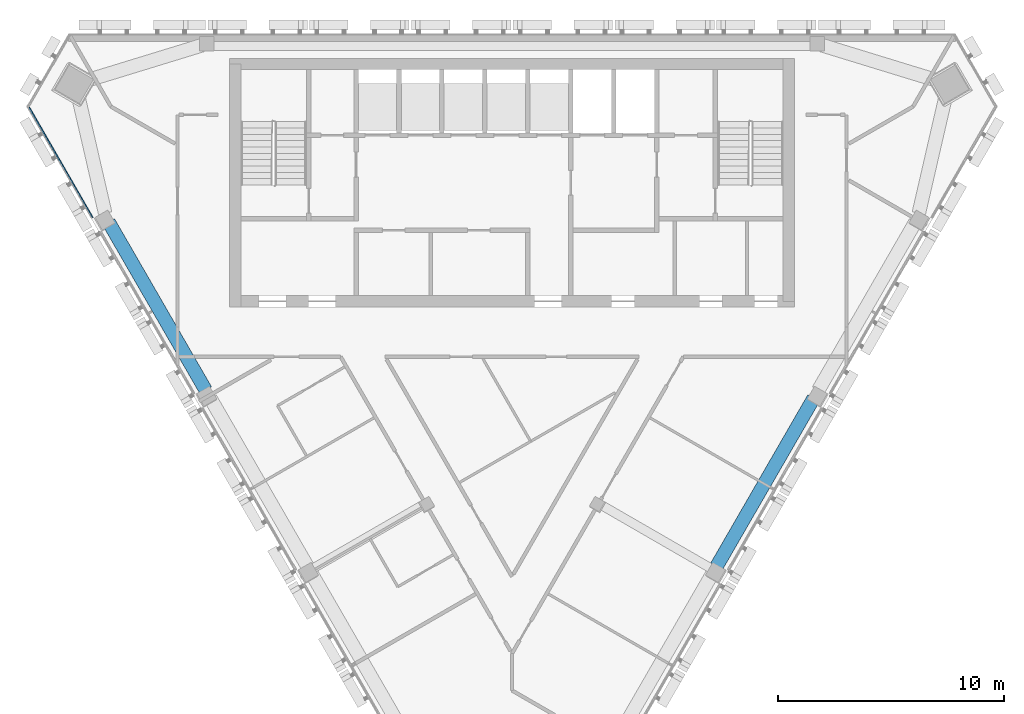
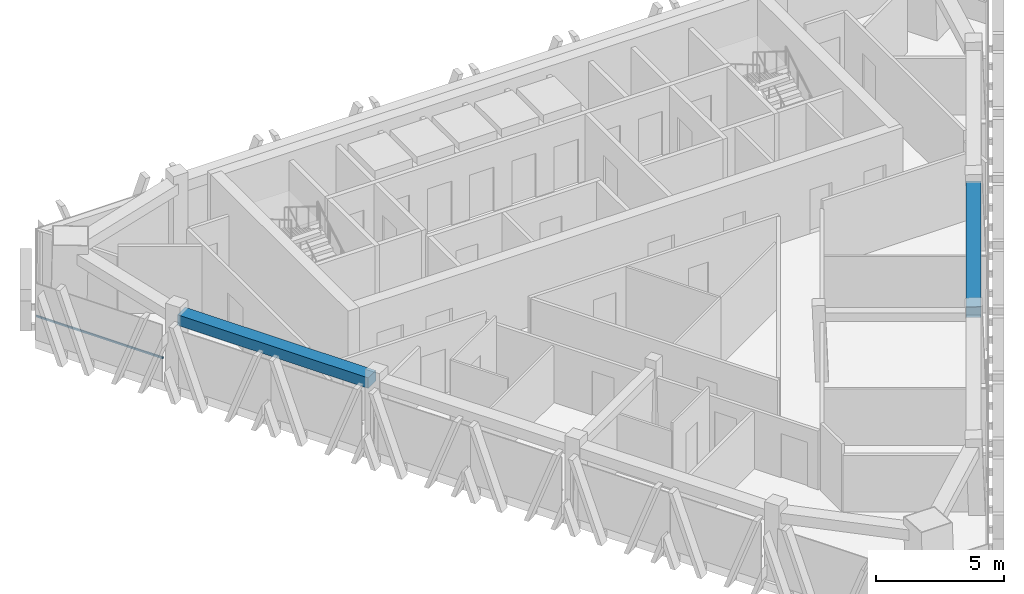
# One storey, part 3 of 10: 2 beams, 1 member, 1 element without a shape of its own.
"""IFC4 building model written with IfcOpenShell, lengths in metres."""

from ifc_helpers import new_model, si_unit, direction, frame, origin, origin_2d, place, context, subcontext, project, spatial, rectangle, extrude, material, layer, layer_set, material_profile, profile_set, type_object, element, aggregate, save


model = new_model("IFC4")

# Units and contexts
model_context = context("Model", 3, precision=1e-05, world=origin(), true_north=direction((0.0, 1.0)))
body_context = subcontext(model_context, "Body", "Model", "MODEL_VIEW")
ifc_project = project(units=[si_unit("LENGTHUNIT", "METRE"), si_unit("AREAUNIT", "SQUARE_METRE"), si_unit("VOLUMEUNIT", "CUBIC_METRE"), si_unit("PLANEANGLEUNIT", "RADIAN"), si_unit("MASSUNIT", "GRAM", prefix="KILO")], contexts=[model_context])

# Site, building, storey
site_placement = place(None, origin())
site = spatial("IfcSite", under=ifc_project, at=site_placement, CompositionType="ELEMENT")
building_placement = place(site_placement, origin())
building = spatial("IfcBuilding", under=site, at=building_placement, Name="Altiplano Prism Tower", CompositionType="ELEMENT")
storey_placement = place(building_placement, frame((0.0, 0.0, 320.199951171875)))
storey = spatial("IfcBuildingStorey", under=building, at=storey_placement, Name="L83", CompositionType="ELEMENT", Elevation=320.199951171875)

# Curtain wall, member
ifc_material_1 = material(Name="Aluminium and glass", Category="aluminium")
ifc_layer = layer(ifc_material_1, 0.280029296875)
ifc_layer_set = layer_set([ifc_layer], Name="Aluminium and glass")
curtain_wall_type = type_object("IfcCurtainWallType", Name="CW1 typical co-living unitised curtain wall", PredefinedType="NOTDEFINED", material=ifc_layer_set)
curtain_wall_placement = place(storey_placement, origin())
curtain_wall = element("IfcCurtainWall", 1, at=curtain_wall_placement, inside=storey, type_object=curtain_wall_type, Name="CW1 curtain wall south-west face L83", PredefinedType="NOTDEFINED")
ifc_material_2 = material(Name="Aluminium", Category="aluminium")
ifc_material_profile_1 = material_profile(ifc_material_2, rectangle(XDim=0.06005859375, YDim=0.080078125, at=origin_2d()), Name="CW1 transom 80 x 60")
ifc_profile_set_1 = profile_set([ifc_material_profile_1], Name="Aluminium")
member_type = type_object("IfcMemberType", Name="CW1 transom 80 x 60", PredefinedType="USERDEFINED", material=ifc_profile_set_1)
member_placement = place(storey_placement, frame((63.58251953125, 101.8037109375, 1.10009765625), z_axis=(0.500012482073, -0.866018197136, 0.0), x_axis=(0.866018197136, 0.500012482073, 0.0)))
member = element("IfcMember", 2, at=member_placement, type_object=member_type, Name="CW1 transom", ObjectType="TRANSOM", PredefinedType="USERDEFINED", context=body_context, shape_type="SweptSolid", body=[
    extrude(rectangle(XDim=0.06005859375, YDim=0.080078125, at=origin_2d()), origin(), (0.0, 0.0, 1.0), 5.707763671875),
])
aggregate(curtain_wall, [member])

# Beams
ifc_material_3 = material(Name="Concrete C60/75", Category="concrete")
ifc_material_profile_2 = material_profile(ifc_material_3, rectangle(XDim=0.60009765625, YDim=0.5, at=origin_2d()), Name="Edge beam 600x500")
ifc_profile_set_2 = profile_set([ifc_material_profile_2], Name="Concrete C60/75")
beam_type = type_object("IfcBeamType", Name="Edge beam 600x500", PredefinedType="SPANDREL", material=ifc_profile_set_2)
for number, where, z_axis, x_axis, name in (
    (3, (67.150390625, 96.6611328125, 2.949951171875), (0.499990619765, -0.866030819398, 0.0), (0.866030819398, 0.499990619765, 0.0), "Edge beam P11-P12 L84"),
    (4, (94.0546875, 81.427734375, 2.949951171875), (0.499990619765, 0.866030819398, 0.0), (-0.866030819398, 0.499990619765, 0.0), "Edge beam P22-P23 L84"),
):
    element("IfcBeam", number, at=place(storey_placement, frame(where, z_axis=z_axis, x_axis=x_axis)), inside=storey, type_object=beam_type, Name=name, PredefinedType="SPANDREL", context=body_context, shape_type="SweptSolid", body=[
        extrude(rectangle(XDim=0.60009765625, YDim=0.5, at=origin_2d()), origin(), (0.0, 0.0, 1.0), 8.590087890625),
    ])

save(model, "model.ifc")
